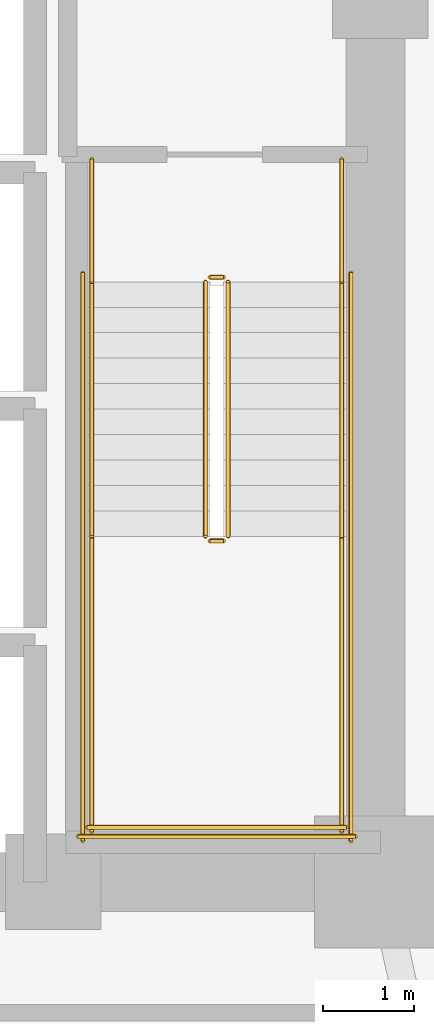
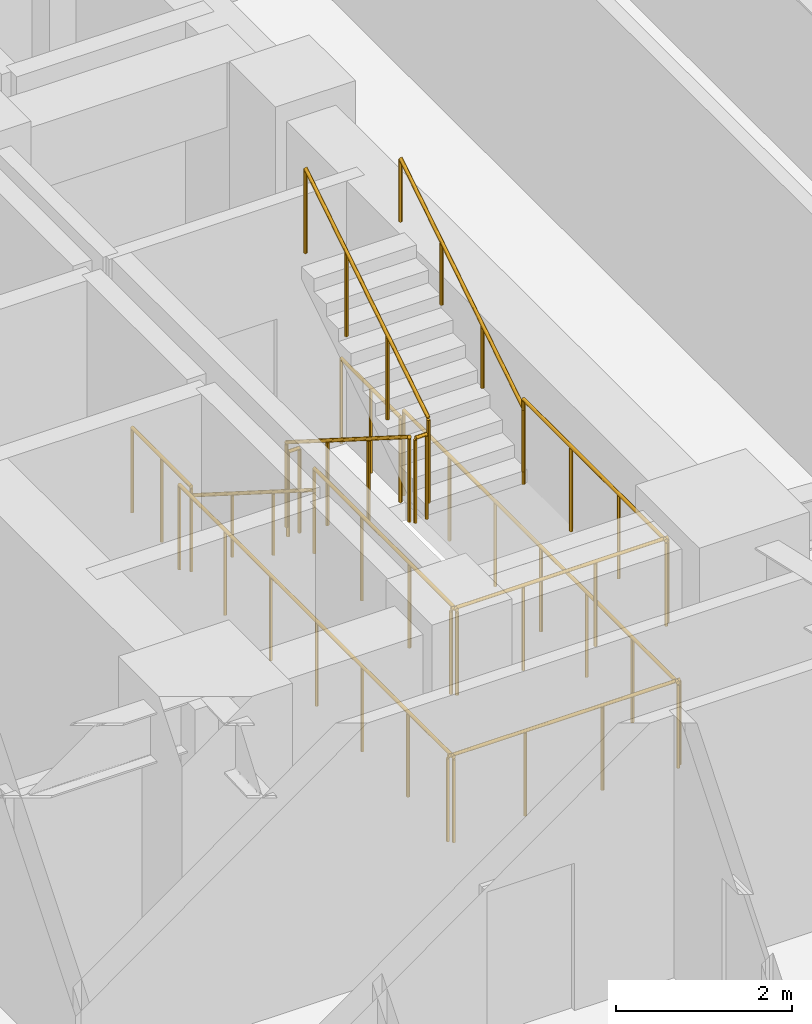
# One storey, part 12 of 12: 14 railings.
"""IFC4 building model written with IfcOpenShell, lengths in metres."""

from ifc_helpers import new_model, si_unit, direction, frame, origin, origin_2d, place, context, subcontext, project, spatial, circle, extrude, material, type_object, element, save


model = new_model("IFC4")

# Units and contexts
model_context = context("Model", 3, precision=1e-05, world=origin(), true_north=direction((0.0, 1.0)))
body_context = subcontext(model_context, "Body", "Model", "MODEL_VIEW")
ifc_project = project(units=[si_unit("LENGTHUNIT", "METRE"), si_unit("AREAUNIT", "SQUARE_METRE"), si_unit("VOLUMEUNIT", "CUBIC_METRE"), si_unit("PLANEANGLEUNIT", "RADIAN"), si_unit("MASSUNIT", "GRAM", prefix="KILO")], contexts=[model_context])

# Site, building, storey
site_placement = place(None, origin())
site = spatial("IfcSite", under=ifc_project, at=site_placement, CompositionType="ELEMENT")
building_placement = place(site_placement, origin())
building = spatial("IfcBuilding", under=site, at=building_placement, Name="Voryun Gate Residences", CompositionType="ELEMENT")
storey_placement = place(building_placement, frame((0.0, 0.0, 72.800048828125)))
storey = spatial("IfcBuildingStorey", under=building, at=storey_placement, Name="L17", CompositionType="ELEMENT", Elevation=72.800048828125)

# Railings
ifc_material_1 = material(Name="Painted steel", Category="steel")
railing_type_1 = type_object("IfcRailingType", Name="RAIL_STAIR_GUARD_1200", PredefinedType="GUARDRAIL", material=ifc_material_1)
railing_1_placement = place(storey_placement, frame((17.27490234375, -0.800048828125, 0.17724609375)))
element("IfcRailing", 1, at=railing_1_placement, inside=storey, type_object=railing_type_1, Name="L17 ST-E1 stair guard 1", PredefinedType="GUARDRAIL", context=body_context, shape_type="SweptSolid", body=[
    extrude(circle(Radius=0.02392578125, at=origin_2d()), frame((0.0, 0.0, 1.17578125), z_axis=(0.0, -0.844908973607, 0.534910110503), x_axis=(1.0, 0.0, 0.0)), (0.0, 0.0, 1.0), 3.31396484375),
    extrude(circle(Radius=0.02099609375, at=origin_2d()), origin(), (0.0, 0.0, 1.0), 1.15185546875),
    extrude(circle(Radius=0.02099609375, at=origin_2d()), frame((0.0, -0.933349609375, 0.5908203125)), (0.0, 0.0, 1.0), 1.15185546875),
    extrude(circle(Radius=0.02099609375, at=origin_2d()), frame((0.0, -1.86669921875, 1.181884765625)), (0.0, 0.0, 1.0), 1.15185546875),
    extrude(circle(Radius=0.02099609375, at=origin_2d()), frame((0.0, -2.800048828125, 1.772705078125)), (0.0, 0.0, 1.0), 1.15185546875),
])
railing_2_placement = place(storey_placement, frame((17.324951171875, -3.64990234375, 1.949951171875)))
element("IfcRailing", 2, at=railing_2_placement, inside=storey, type_object=railing_type_1, Name="L17 ST-E1 stair guard 2", PredefinedType="GUARDRAIL", context=body_context, shape_type="SweptSolid", body=[
    extrude(circle(Radius=0.02392578125, at=origin_2d()), frame((0.0, 0.0, 1.17578125), z_axis=(1.0, 0.0, 0.0), x_axis=(0.0, 1.0, 0.0)), (0.0, 0.0, 1.0), 0.150146484375),
    extrude(circle(Radius=0.02099609375, at=origin_2d()), origin(), (0.0, 0.0, 1.0), 1.15185546875),
    extrude(circle(Radius=0.02099609375, at=origin_2d()), frame((0.150146484375, 0.0, 0.0)), (0.0, 0.0, 1.0), 1.15185546875),
])
for number, where, name in (
    (3, (16.02490234375, -3.60009765625, 1.949951171875), "L17 ST-E1 stair guard 3"),
    (4, (18.77490234375, -3.60009765625, 1.949951171875), "L17 ST-E1 stair guard 4"),
):
    element("IfcRailing", number, at=place(storey_placement, frame(where)), inside=storey, type_object=railing_type_1, Name=name, PredefinedType="GUARDRAIL", context=body_context, shape_type="SweptSolid", body=[
        extrude(circle(Radius=0.02392578125, at=origin_2d()), frame((0.0, 0.0, 1.17578125), z_axis=(0.0, -1.0, 0.0), x_axis=(1.0, 0.0, 0.0)), (0.0, 0.0, 1.0), 3.25),
        extrude(circle(Radius=0.02099609375, at=origin_2d()), origin(), (0.0, 0.0, 1.0), 1.15185546875),
        extrude(circle(Radius=0.02099609375, at=origin_2d()), frame((0.0, -1.083251953125, 0.0)), (0.0, 0.0, 1.0), 1.15185546875),
        extrude(circle(Radius=0.02099609375, at=origin_2d()), frame((0.0, -2.166748046875, 0.0)), (0.0, 0.0, 1.0), 1.15185546875),
        extrude(circle(Radius=0.02099609375, at=origin_2d()), frame((0.0, -3.25, 0.0)), (0.0, 0.0, 1.0), 1.15185546875),
    ])
railing_3_placement = place(storey_placement, frame((15.97509765625, -6.800048828125, 1.949951171875)))
element("IfcRailing", 5, at=railing_3_placement, inside=storey, type_object=railing_type_1, Name="L17 ST-E1 stair guard 5", PredefinedType="GUARDRAIL", context=body_context, shape_type="SweptSolid", body=[
    extrude(circle(Radius=0.02392578125, at=origin_2d()), frame((0.0, 0.0, 1.17578125), z_axis=(1.0, 0.0, 0.0), x_axis=(0.0, 1.0, 0.0)), (0.0, 0.0, 1.0), 2.849853515625),
    extrude(circle(Radius=0.02099609375, at=origin_2d()), origin(), (0.0, 0.0, 1.0), 1.15185546875),
    extrude(circle(Radius=0.02099609375, at=origin_2d()), frame((0.949951171875, 0.0, 0.0)), (0.0, 0.0, 1.0), 1.15185546875),
    extrude(circle(Radius=0.02099609375, at=origin_2d()), frame((1.89990234375, 0.0, 0.0)), (0.0, 0.0, 1.0), 1.15185546875),
    extrude(circle(Radius=0.02099609375, at=origin_2d()), frame((2.849853515625, 0.0, 0.0)), (0.0, 0.0, 1.0), 1.15185546875),
])
railing_4_placement = place(storey_placement, frame((17.52490234375, -3.60009765625, 2.127197265625)))
element("IfcRailing", 6, at=railing_4_placement, inside=storey, type_object=railing_type_1, Name="L17 ST-E1 stair guard 6", PredefinedType="GUARDRAIL", context=body_context, shape_type="SweptSolid", body=[
    extrude(circle(Radius=0.02392578125, at=origin_2d()), frame((0.0, 0.0, 1.17578125), z_axis=(0.0, 0.844908973607, 0.534910110503), x_axis=(-1.0, 0.0, 0.0)), (0.0, 0.0, 1.0), 3.31396484375),
    extrude(circle(Radius=0.02099609375, at=origin_2d()), origin(), (0.0, 0.0, 1.0), 1.15185546875),
    extrude(circle(Radius=0.02099609375, at=origin_2d()), frame((0.0, 0.933349609375, 0.5908203125)), (0.0, 0.0, 1.0), 1.15185546875),
    extrude(circle(Radius=0.02099609375, at=origin_2d()), frame((0.0, 1.86669921875, 1.181884765625)), (0.0, 0.0, 1.0), 1.15185546875),
    extrude(circle(Radius=0.02099609375, at=origin_2d()), frame((0.0, 2.800048828125, 1.772705078125)), (0.0, 0.0, 1.0), 1.15185546875),
])
railing_5_placement = place(storey_placement, frame((17.324951171875, -0.75, 0.0)))
element("IfcRailing", 7, at=railing_5_placement, inside=storey, type_object=railing_type_1, Name="L17 ST-E1 stair guard 7", PredefinedType="GUARDRAIL", context=body_context, shape_type="SweptSolid", body=[
    extrude(circle(Radius=0.02392578125, at=origin_2d()), frame((0.0, 0.0, 1.17578125), z_axis=(1.0, 0.0, 0.0), x_axis=(0.0, 1.0, 0.0)), (0.0, 0.0, 1.0), 0.150146484375),
    extrude(circle(Radius=0.02099609375, at=origin_2d()), origin(), (0.0, 0.0, 1.0), 1.15185546875),
    extrude(circle(Radius=0.02099609375, at=origin_2d()), frame((0.150146484375, 0.0, 0.0)), (0.0, 0.0, 1.0), 1.15185546875),
])
for number, where, name in (
    (8, (16.02490234375, 0.550048828125, 0.0), "L17 ST-E1 stair guard 8"),
    (9, (18.77490234375, 0.550048828125, 0.0), "L17 ST-E1 stair guard 9"),
):
    element("IfcRailing", number, at=place(storey_placement, frame(where)), inside=storey, type_object=railing_type_1, Name=name, PredefinedType="GUARDRAIL", context=body_context, shape_type="SweptSolid", body=[
        extrude(circle(Radius=0.02392578125, at=origin_2d()), frame((0.0, 0.0, 1.17578125), z_axis=(0.0, -1.0, 0.0), x_axis=(1.0, 0.0, 0.0)), (0.0, 0.0, 1.0), 1.35009765625),
        extrude(circle(Radius=0.02099609375, at=origin_2d()), origin(), (0.0, 0.0, 1.0), 1.15185546875),
        extrude(circle(Radius=0.02099609375, at=origin_2d()), frame((0.0, -0.675048828125, 0.0)), (0.0, 0.0, 1.0), 1.15185546875),
        extrude(circle(Radius=0.02099609375, at=origin_2d()), frame((0.0, -1.35009765625, 0.0)), (0.0, 0.0, 1.0), 1.15185546875),
    ])
for number, where, name in (
    (10, (15.925048828125, -0.699951171875, 0.0), "L17 ST-E1 stair guard 10"),
    (11, (18.875, -0.699951171875, 0.0), "L17 ST-E1 stair guard 11"),
):
    element("IfcRailing", number, at=place(storey_placement, frame(where)), inside=storey, type_object=railing_type_1, Name=name, PredefinedType="GUARDRAIL", context=body_context, shape_type="SweptSolid", body=[
        extrude(circle(Radius=0.02392578125, at=origin_2d()), frame((0.0, 0.0, 1.17578125), z_axis=(0.0, -1.0, 0.0), x_axis=(1.0, 0.0, 0.0)), (0.0, 0.0, 1.0), 6.25),
        extrude(circle(Radius=0.02099609375, at=origin_2d()), origin(), (0.0, 0.0, 1.0), 1.15185546875),
        extrude(circle(Radius=0.02099609375, at=origin_2d()), frame((0.0, -1.041748046875, 0.0)), (0.0, 0.0, 1.0), 1.15185546875),
        extrude(circle(Radius=0.02099609375, at=origin_2d()), frame((0.0, -2.083251953125, 0.0)), (0.0, 0.0, 1.0), 1.15185546875),
        extrude(circle(Radius=0.02099609375, at=origin_2d()), frame((0.0, -3.125, 0.0)), (0.0, 0.0, 1.0), 1.15185546875),
        extrude(circle(Radius=0.02099609375, at=origin_2d()), frame((0.0, -4.166748046875, 0.0)), (0.0, 0.0, 1.0), 1.15185546875),
        extrude(circle(Radius=0.02099609375, at=origin_2d()), frame((0.0, -5.208251953125, 0.0)), (0.0, 0.0, 1.0), 1.15185546875),
        extrude(circle(Radius=0.02099609375, at=origin_2d()), frame((0.0, -6.25, 0.0)), (0.0, 0.0, 1.0), 1.15185546875),
    ])
railing_6_placement = place(storey_placement, frame((15.875, -6.89990234375, 0.0)))
element("IfcRailing", 12, at=railing_6_placement, inside=storey, type_object=railing_type_1, Name="L17 ST-E1 stair guard 12", PredefinedType="GUARDRAIL", context=body_context, shape_type="SweptSolid", body=[
    extrude(circle(Radius=0.02392578125, at=origin_2d()), frame((0.0, 0.0, 1.17578125), z_axis=(1.0, 0.0, 0.0), x_axis=(0.0, 1.0, 0.0)), (0.0, 0.0, 1.0), 3.050048828125),
    extrude(circle(Radius=0.02099609375, at=origin_2d()), origin(), (0.0, 0.0, 1.0), 1.15185546875),
    extrude(circle(Radius=0.02099609375, at=origin_2d()), frame((1.0166015625, 0.0, 0.0)), (0.0, 0.0, 1.0), 1.15185546875),
    extrude(circle(Radius=0.02099609375, at=origin_2d()), frame((2.033447265625, 0.0, 0.0)), (0.0, 0.0, 1.0), 1.15185546875),
    extrude(circle(Radius=0.02099609375, at=origin_2d()), frame((3.050048828125, 0.0, 0.0)), (0.0, 0.0, 1.0), 1.15185546875),
])
ifc_material_2 = material(Name="Painted steel", Category="steel")
railing_type_2 = type_object("IfcRailingType", Name="RAIL_STAIR_HANDRAIL_900", PredefinedType="HANDRAIL", material=ifc_material_2)
railing_7_placement = place(storey_placement, frame((16.02490234375, -0.800048828125, 0.17724609375)))
element("IfcRailing", 13, at=railing_7_placement, inside=storey, type_object=railing_type_2, Name="L17 ST-E1 stair handrail 1", PredefinedType="HANDRAIL", context=body_context, shape_type="SweptSolid", body=[
    extrude(circle(Radius=0.02392578125, at=origin_2d()), frame((0.0, 0.0, 0.8759765625), z_axis=(0.0, -0.844908973607, 0.534910110503), x_axis=(1.0, 0.0, 0.0)), (0.0, 0.0, 1.0), 3.31396484375),
    extrude(circle(Radius=0.02099609375, at=origin_2d()), origin(), (0.0, 0.0, 1.0), 0.851806640625),
    extrude(circle(Radius=0.02099609375, at=origin_2d()), frame((0.0, -0.933349609375, 0.5908203125)), (0.0, 0.0, 1.0), 0.851806640625),
    extrude(circle(Radius=0.02099609375, at=origin_2d()), frame((0.0, -1.86669921875, 1.181884765625)), (0.0, 0.0, 1.0), 0.851806640625),
    extrude(circle(Radius=0.02099609375, at=origin_2d()), frame((0.0, -2.800048828125, 1.772705078125)), (0.0, 0.0, 1.0), 0.851806640625),
])
railing_8_placement = place(storey_placement, frame((18.77490234375, -3.60009765625, 2.127197265625)))
element("IfcRailing", 14, at=railing_8_placement, inside=storey, type_object=railing_type_2, Name="L17 ST-E1 stair handrail 2", PredefinedType="HANDRAIL", context=body_context, shape_type="SweptSolid", body=[
    extrude(circle(Radius=0.02392578125, at=origin_2d()), frame((0.0, 0.0, 0.8759765625), z_axis=(0.0, 0.844908973607, 0.534910110503), x_axis=(-1.0, 0.0, 0.0)), (0.0, 0.0, 1.0), 3.31396484375),
    extrude(circle(Radius=0.02099609375, at=origin_2d()), origin(), (0.0, 0.0, 1.0), 0.851806640625),
    extrude(circle(Radius=0.02099609375, at=origin_2d()), frame((0.0, 0.933349609375, 0.5908203125)), (0.0, 0.0, 1.0), 0.851806640625),
    extrude(circle(Radius=0.02099609375, at=origin_2d()), frame((0.0, 1.86669921875, 1.181884765625)), (0.0, 0.0, 1.0), 0.851806640625),
    extrude(circle(Radius=0.02099609375, at=origin_2d()), frame((0.0, 2.800048828125, 1.772705078125)), (0.0, 0.0, 1.0), 0.851806640625),
])

save(model, "model.ifc")
